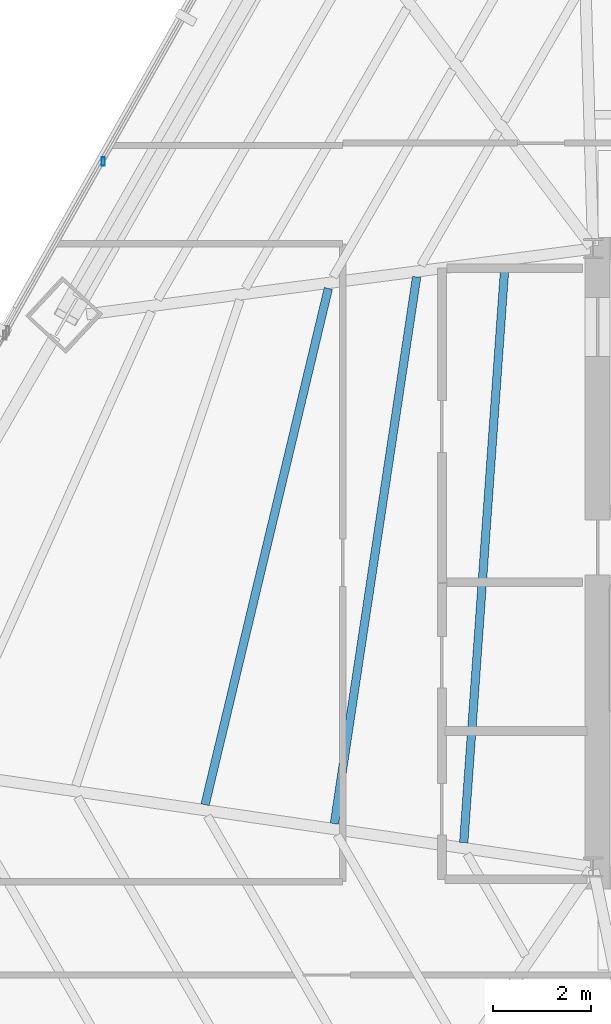
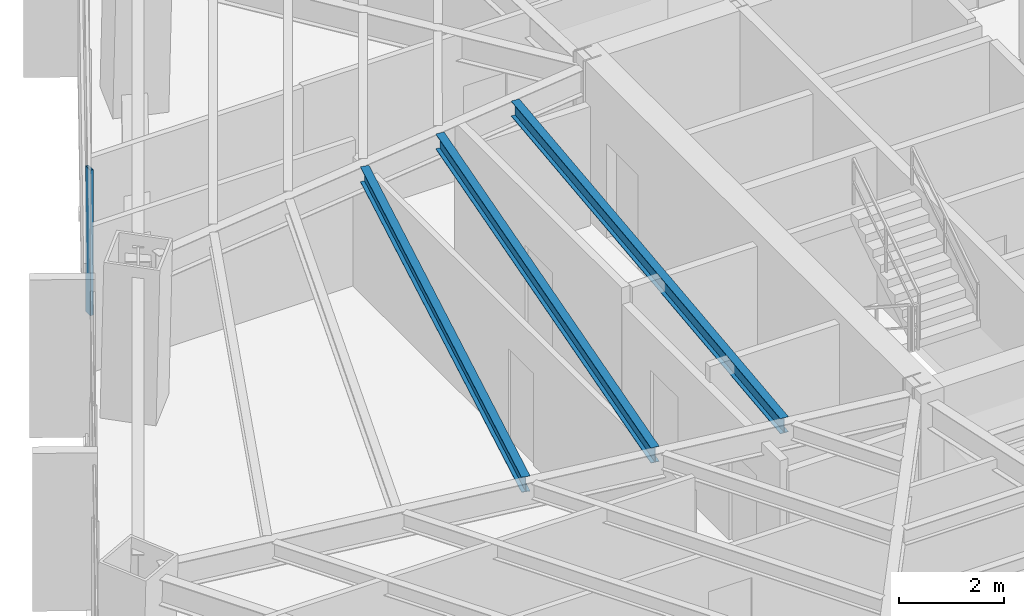
# One storey, part 12 of 36: 3 beams, 1 member, 1 element without a shape of its own.
"""IFC4 building model written with IfcOpenShell, lengths in metres."""

from ifc_helpers import new_model, si_unit, direction, frame, origin, origin_2d, place, context, subcontext, project, spatial, hollow_rectangle, i_section, extrude, source, transform, mapped, material, material_profile, profile_set, type_object, type_shapes, element, aggregate, save


model = new_model("IFC4")

# Units and contexts
model_context = context("Model", 3, precision=1e-05, world=origin(), true_north=direction((0.0, 1.0)))
body_context = subcontext(model_context, "Body", "Model", "MODEL_VIEW")
ifc_project = project(units=[si_unit("LENGTHUNIT", "METRE"), si_unit("AREAUNIT", "SQUARE_METRE"), si_unit("VOLUMEUNIT", "CUBIC_METRE"), si_unit("PLANEANGLEUNIT", "RADIAN"), si_unit("MASSUNIT", "GRAM", prefix="KILO")], contexts=[model_context])

# Site, building, storey
site_placement = place(None, origin())
site = spatial("IfcSite", under=ifc_project, at=site_placement, CompositionType="ELEMENT")
building_placement = place(site_placement, origin())
building = spatial("IfcBuilding", under=site, at=building_placement, Name="Caelisora Broadcast Tower", CompositionType="ELEMENT")
storey_placement = place(building_placement, frame((0.0, 0.0, 79.85009765625)))
storey = spatial("IfcBuildingStorey", under=building, at=storey_placement, Name="L20", CompositionType="ELEMENT", Elevation=79.85009765625)

# Beams
ifc_material_1 = material(Name="Steel Grade 350 (AS/NZS 3679.1)", Category="steel")
ifc_material_profile_1 = material_profile(ifc_material_1, i_section(OverallWidth=0.172119140625, OverallDepth=0.358642578125, WebThickness=0.008056640625, FlangeThickness=0.012939453125, at=origin_2d()), Name="Steel Grade 350 (AS/NZS 3679.1)")
ifc_profile_set_1 = profile_set([ifc_material_profile_1], Name="Steel Grade 350 (AS/NZS 3679.1)")
beam_type = type_object("IfcBeamType", Name="SB02", PredefinedType="JOIST", material=ifc_profile_set_1)
shared_shape_1 = source(origin(), body_context, "Body", "SweptSolid", [
    extrude(i_section(OverallWidth=0.172119140625, OverallDepth=0.358642578125, WebThickness=0.008056640625, FlangeThickness=0.012939453125, at=origin_2d()), origin(), (0.0, 0.0, 1.0), 11.7861328125),
])
beam_1_placement = place(storey_placement, frame((28.703125, 29.654541015625, 3.220703125), z_axis=(-0.071152837444, -0.997465424826, 0.0), x_axis=(0.997465424826, -0.071152837444, 0.0)))
element("IfcBeam", 1, at=beam_1_placement, inside=storey, type_object=beam_type, Name="L20 beam SB02", PredefinedType="JOIST", context=body_context, shape_type="MappedRepresentation", body=[
    mapped(shared_shape_1, transform((0.0, 0.0, 0.0), scale=1.0)),
])
shared_shape_2 = source(origin(), body_context, "Body", "SweptSolid", [
    extrude(i_section(OverallWidth=0.172119140625, OverallDepth=0.358642578125, WebThickness=0.008056640625, FlangeThickness=0.012939453125, at=origin_2d()), origin(), (0.0, 0.0, 1.0), 11.261962890625),
])
beam_2_placement = place(storey_placement, frame((26.905029296875, 29.420654296875, 3.220703125), z_axis=(-0.148777181745, -0.988870744937, 0.0), x_axis=(0.988870744937, -0.148777181745, 0.0)))
element("IfcBeam", 2, at=beam_2_placement, inside=storey, type_object=beam_type, Name="L20 beam SB02", PredefinedType="JOIST", context=body_context, shape_type="MappedRepresentation", body=[
    mapped(shared_shape_2, transform((0.0, 0.0, 0.0), scale=1.0)),
])
shared_shape_3 = source(origin(), body_context, "Body", "SweptSolid", [
    extrude(i_section(OverallWidth=0.172119140625, OverallDepth=0.358642578125, WebThickness=0.008056640625, FlangeThickness=0.012939453125, at=origin_2d()), origin(), (0.0, 0.0, 1.0), 10.812744140625),
])
type_shapes(beam_type, [shared_shape_1, shared_shape_2, shared_shape_3])
beam_3_placement = place(storey_placement, frame((25.10595703125, 29.186767578125, 3.220703125), z_axis=(-0.232204540782, -0.97266697859, 0.0), x_axis=(0.97266697859, -0.232204540782, 0.0)))
element("IfcBeam", 3, at=beam_3_placement, inside=storey, type_object=beam_type, Name="L20 beam SB02", PredefinedType="JOIST", context=body_context, shape_type="MappedRepresentation", body=[
    mapped(shared_shape_3, transform((0.0, 0.0, 0.0), scale=1.0)),
])

# Curtain wall, member
ifc_material_2 = material(Name="Unitised Aluminium Insulated Shadow-Box Spandrel Curtain Wall", Category="aluminium")
curtain_wall_type = type_object("IfcCurtainWallType", Name="CW-SP1", PredefinedType="NOTDEFINED", material=ifc_material_2)
curtain_wall_placement = place(storey_placement, origin())
curtain_wall = element("IfcCurtainWall", 4, at=curtain_wall_placement, inside=storey, type_object=curtain_wall_type, Name="L20 curtain wall CW-SP1", PredefinedType="NOTDEFINED")
ifc_material_3 = material(Name="Aluminium 6063-T6 Anodised Terracotta Bronze", Category="aluminium")
ifc_material_profile_2 = material_profile(ifc_material_3, hollow_rectangle(XDim=0.06494140625, YDim=0.179931640625, WallThickness=0.00341796875, at=origin_2d()), Name="Aluminium 6063-T6 Anodised Terracotta Bronze")
ifc_profile_set_2 = profile_set([ifc_material_profile_2], Name="Aluminium 6063-T6 Anodised Terracotta Bronze")
member_type = type_object("IfcMemberType", Name="CWM-02", PredefinedType="MULLION", material=ifc_profile_set_2)
shared_shape_4 = source(origin(), body_context, "Body", "SweptSolid", [
    extrude(hollow_rectangle(XDim=0.06494140625, YDim=0.179931640625, WallThickness=0.00341796875, at=origin_2d()), origin(), (0.0, 0.0, 1.0), 3.39990234375),
])
type_shapes(member_type, [shared_shape_4])
member_placement = place(storey_placement, frame((20.517578125, 31.772216796875, 0.0), z_axis=(0.0, 0.0, 1.0), x_axis=(1.0, 0.0, 0.0)))
member = element("IfcMember", 5, at=member_placement, type_object=member_type, Name="L20-CW-B10 mullion #1", PredefinedType="MULLION", context=body_context, shape_type="MappedRepresentation", body=[
    mapped(shared_shape_4, transform((0.0, 0.0, 0.0), scale=1.0)),
])
aggregate(curtain_wall, [member])

save(model, "model.ifc")
